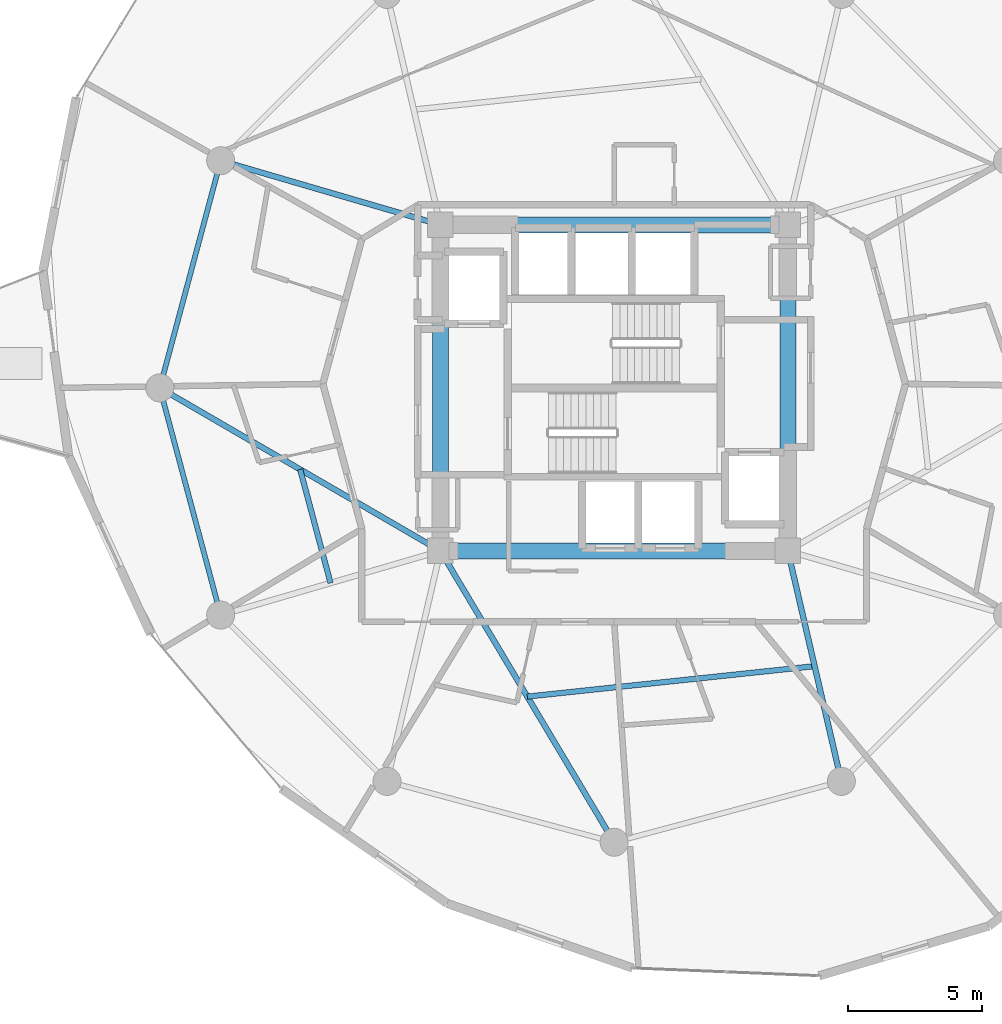
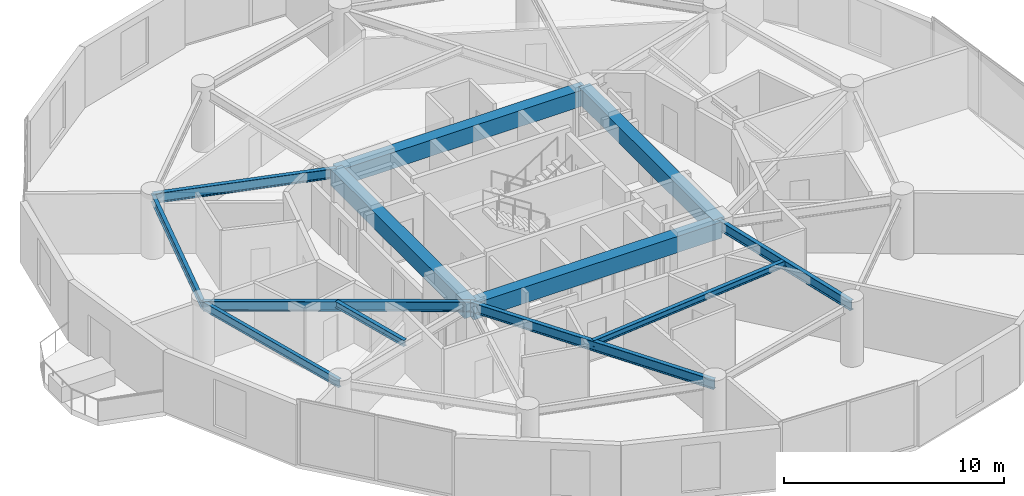
# One storey, part 5 of 23: 12 beams.
"""IFC4 building model written with IfcOpenShell, lengths in metres."""

from ifc_helpers import new_model, si_unit, direction, frame, origin, origin_2d, place, context, subcontext, project, spatial, rectangle, i_section, extrude, material, material_profile, profile_set, type_object, element, save


model = new_model("IFC4")

# Units and contexts
model_context = context("Model", 3, precision=1e-05, world=origin(), true_north=direction((0.0, 1.0)))
body_context = subcontext(model_context, "Body", "Model", "MODEL_VIEW")
ifc_project = project(units=[si_unit("LENGTHUNIT", "METRE"), si_unit("AREAUNIT", "SQUARE_METRE"), si_unit("VOLUMEUNIT", "CUBIC_METRE"), si_unit("PLANEANGLEUNIT", "RADIAN"), si_unit("MASSUNIT", "GRAM", prefix="KILO")], contexts=[model_context])

# Site, building, storey
site_placement = place(None, origin())
site = spatial("IfcSite", under=ifc_project, at=site_placement, CompositionType="ELEMENT")
building_placement = place(site_placement, origin())
building = spatial("IfcBuilding", under=site, at=building_placement, Name="Solvirekh Grand Hotel", CompositionType="ELEMENT")
storey_placement = place(building_placement, frame((0.0, 0.0, 138.60009765625)))
storey = spatial("IfcBuildingStorey", under=building, at=storey_placement, Name="L35", CompositionType="ELEMENT", Elevation=138.60009765625)

# Beams
ifc_material_1 = material(Name="Concrete C50/60", Category="concrete")
ifc_material_profile_1 = material_profile(ifc_material_1, rectangle(XDim=0.60009765625, YDim=0.89990234375, at=origin_2d()), Name="RC BEAM 600X900")
ifc_profile_set_1 = profile_set([ifc_material_profile_1], Name="Concrete C50/60")
beam_type_1 = type_object("IfcBeamType", Name="Beam_Core_RC900", PredefinedType="BEAM", material=ifc_profile_set_1)
beam_1_placement = place(storey_placement, frame((-6.5, -6.10009765625, 2.89990234375), z_axis=(1.0, 0.0, 0.0), x_axis=(0.0, 1.0, 0.0)))
element("IfcBeam", 1, at=beam_1_placement, inside=storey, type_object=beam_type_1, Name="L35 core coupling ring beam 1", PredefinedType="BEAM", context=body_context, shape_type="SweptSolid", body=[
    extrude(rectangle(XDim=0.60009765625, YDim=0.89990234375, at=origin_2d()), origin(), (0.0, 0.0, 1.0), 13.0),
])
beam_2_placement = place(storey_placement, frame((6.5, -6.10009765625, 2.89990234375), z_axis=(0.0, 1.0, 0.0), x_axis=(-1.0, 0.0, 0.0)))
element("IfcBeam", 2, at=beam_2_placement, inside=storey, type_object=beam_type_1, Name="L35 core coupling ring beam 2", PredefinedType="BEAM", context=body_context, shape_type="SweptSolid", body=[
    extrude(rectangle(XDim=0.60009765625, YDim=0.89990234375, at=origin_2d()), origin(), (0.0, 0.0, 1.0), 12.2001953125),
])
beam_3_placement = place(storey_placement, frame((6.5, 6.10009765625, 2.89990234375), z_axis=(-1.0, 0.0, 0.0), x_axis=(0.0, -1.0, 0.0)))
element("IfcBeam", 3, at=beam_3_placement, inside=storey, type_object=beam_type_1, Name="L35 core coupling ring beam 3", PredefinedType="BEAM", context=body_context, shape_type="SweptSolid", body=[
    extrude(rectangle(XDim=0.60009765625, YDim=0.89990234375, at=origin_2d()), origin(), (0.0, 0.0, 1.0), 13.0),
])
beam_4_placement = place(storey_placement, frame((-6.5, 6.10009765625, 2.89990234375), z_axis=(0.0, -1.0, 0.0), x_axis=(1.0, 0.0, 0.0)))
element("IfcBeam", 4, at=beam_4_placement, inside=storey, type_object=beam_type_1, Name="L35 core coupling ring beam 4", PredefinedType="BEAM", context=body_context, shape_type="SweptSolid", body=[
    extrude(rectangle(XDim=0.60009765625, YDim=0.89990234375, at=origin_2d()), origin(), (0.0, 0.0, 1.0), 12.2001953125),
])
ifc_material_2 = material(Name="Steel S355", Category="steel")
ifc_material_profile_2 = material_profile(ifc_material_2, i_section(OverallWidth=0.2119140625, OverallDepth=0.5439453125, WebThickness=0.011962890625, FlangeThickness=0.01904296875, FilletRadius=0.013916015625, at=origin_2d()), Name="W530X123")
ifc_profile_set_2 = profile_set([ifc_material_profile_2], Name="Steel S355")
beam_type_2 = type_object("IfcBeamType", Name="Beam_Radial_W530H", PredefinedType="BEAM", material=ifc_profile_set_2)
beam_5_placement = place(storey_placement, frame((-6.5, 6.10009765625, 3.077880859375), z_axis=(-0.959942195467, 0.28019811092, 0.0), x_axis=(-0.28019811092, -0.959942195467, 0.0)))
element("IfcBeam", 5, at=beam_5_placement, inside=storey, type_object=beam_type_2, Name="L35 radial floor beam R06", PredefinedType="BEAM", context=body_context, shape_type="SweptSolid", body=[
    extrude(i_section(OverallWidth=0.2119140625, OverallDepth=0.5439453125, WebThickness=0.011962890625, FlangeThickness=0.01904296875, FilletRadius=0.013916015625, at=origin_2d()), origin(), (0.0, 0.0, 1.0), 8.56494140625),
])
beam_6_placement = place(storey_placement, frame((-6.5, -6.10009765625, 3.077880859375), z_axis=(-0.864670076815, 0.50234018181, 0.0), x_axis=(-0.50234018181, -0.864670076815, 0.0)))
element("IfcBeam", 6, at=beam_6_placement, inside=storey, type_object=beam_type_2, Name="L35 radial floor beam R07", PredefinedType="BEAM", context=body_context, shape_type="SweptSolid", body=[
    extrude(i_section(OverallWidth=0.2119140625, OverallDepth=0.5439453125, WebThickness=0.011962890625, FlangeThickness=0.01904296875, FilletRadius=0.013916015625, at=origin_2d()), origin(), (0.0, 0.0, 1.0), 12.143310546875),
])
beam_7_placement = place(storey_placement, frame((-6.5, -6.10009765625, 3.077880859375), z_axis=(0.512179721377, -0.858878299301, 0.0), x_axis=(0.858878299301, 0.512179721377, 0.0)))
element("IfcBeam", 7, at=beam_7_placement, inside=storey, type_object=beam_type_2, Name="L35 radial floor beam R10", PredefinedType="BEAM", context=body_context, shape_type="SweptSolid", body=[
    extrude(i_section(OverallWidth=0.2119140625, OverallDepth=0.5439453125, WebThickness=0.011962890625, FlangeThickness=0.01904296875, FilletRadius=0.013916015625, at=origin_2d()), origin(), (0.0, 0.0, 1.0), 12.69091796875),
])
beam_8_placement = place(storey_placement, frame((6.5, -6.10009765625, 3.077880859375), z_axis=(0.225969390542, -0.974134402707, 0.0), x_axis=(0.974134402707, 0.225969390542, 0.0)))
element("IfcBeam", 8, at=beam_8_placement, inside=storey, type_object=beam_type_2, Name="L35 radial floor beam R11", PredefinedType="BEAM", context=body_context, shape_type="SweptSolid", body=[
    extrude(i_section(OverallWidth=0.2119140625, OverallDepth=0.5439453125, WebThickness=0.011962890625, FlangeThickness=0.01904296875, FilletRadius=0.013916015625, at=origin_2d()), origin(), (0.0, 0.0, 1.0), 8.850830078125),
])
ifc_material_profile_3 = material_profile(ifc_material_2, i_section(OverallWidth=0.2041015625, OverallDepth=0.35009765625, WebThickness=0.009033203125, FlangeThickness=0.014892578125, FilletRadius=0.010986328125, at=origin_2d()), Name="W360X72")
ifc_profile_set_3 = profile_set([ifc_material_profile_3], Name="Steel S355")
beam_type_3 = type_object("IfcBeamType", Name="Joist_Floor_W360", PredefinedType="JOIST", material=ifc_profile_set_3)
beam_9_placement = place(storey_placement, frame((-11.75, -3.050048828125, 3.1748046875), z_axis=(0.258847024572, -0.965918328778, 0.0), x_axis=(0.965918328778, 0.258847024572, 0.0)))
element("IfcBeam", 9, at=beam_9_placement, inside=storey, type_object=beam_type_3, Name="L35 secondary composite floor joist 7", PredefinedType="JOIST", context=body_context, shape_type="SweptSolid", body=[
    extrude(i_section(OverallWidth=0.2041015625, OverallDepth=0.35009765625, WebThickness=0.009033203125, FlangeThickness=0.014892578125, FilletRadius=0.010986328125, at=origin_2d()), origin(), (0.0, 0.0, 1.0), 4.39990234375),
])
beam_10_placement = place(storey_placement, frame((-3.25, -11.550048828125, 3.1748046875), z_axis=(0.994432198761, 0.105378375714, 0.0), x_axis=(-0.105378375714, 0.994432198761, 0.0)))
element("IfcBeam", 10, at=beam_10_placement, inside=storey, type_object=beam_type_3, Name="L35 secondary composite floor joist 10", PredefinedType="JOIST", context=body_context, shape_type="SweptSolid", body=[
    extrude(i_section(OverallWidth=0.2041015625, OverallDepth=0.35009765625, WebThickness=0.009033203125, FlangeThickness=0.014892578125, FilletRadius=0.010986328125, at=origin_2d()), origin(), (0.0, 0.0, 1.0), 10.810302734375),
])
ifc_material_profile_4 = material_profile(ifc_material_2, i_section(OverallWidth=0.18994140625, OverallDepth=0.45703125, WebThickness=0.009033203125, FlangeThickness=0.013916015625, FilletRadius=0.012939453125, at=origin_2d()), Name="W460X74")
ifc_profile_set_4 = profile_set([ifc_material_profile_4], Name="Steel S355")
beam_type_4 = type_object("IfcBeamType", Name="Spandrel_Ring_W460", PredefinedType="SPANDREL", material=ifc_profile_set_4)
for number, where, z_axis, x_axis, name in (
    (11, (-14.721923828125, 8.5, 3.120849609375), (-0.258872908946, -0.965911391906, 0.0), (0.965911391906, -0.258872908946, 0.0), "L35 perimeter spandrel beam 6"),
    (12, (-17.0, 0.0, 3.120849609375), (0.258872908946, -0.965911391906, 0.0), (0.965911391906, 0.258872908946, 0.0), "L35 perimeter spandrel beam 7"),
):
    element("IfcBeam", number, at=place(storey_placement, frame(where, z_axis=z_axis, x_axis=x_axis)), inside=storey, type_object=beam_type_4, Name=name, PredefinedType="SPANDREL", context=body_context, shape_type="SweptSolid", body=[
        extrude(i_section(OverallWidth=0.18994140625, OverallDepth=0.45703125, WebThickness=0.009033203125, FlangeThickness=0.013916015625, FilletRadius=0.012939453125, at=origin_2d()), origin(), (0.0, 0.0, 1.0), 8.800048828125),
    ])

save(model, "model.ifc")
